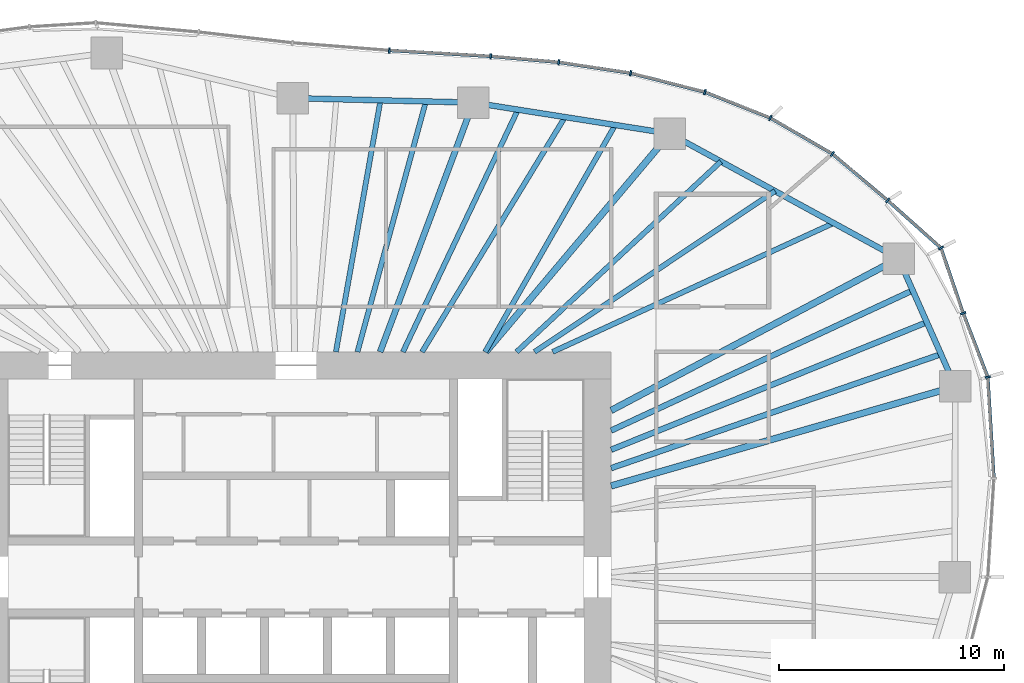
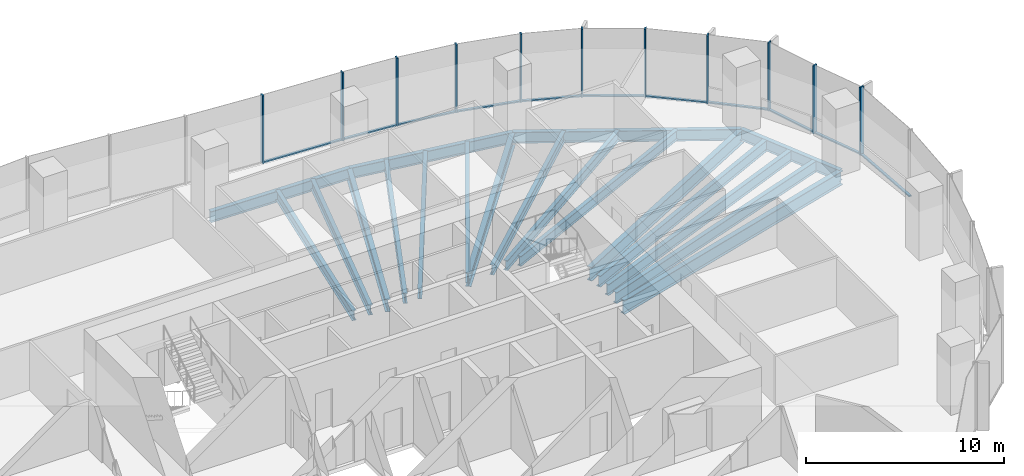
# One storey, part 6 of 18: 22 members, 19 beams, 5 elements without a shape of their own.
"""IFC4 building model written with IfcOpenShell, lengths in metres."""

from ifc_helpers import new_model, si_unit, direction, frame, origin, origin_2d, place, context, subcontext, project, spatial, rectangle, i_section, extrude, material, material_profile, profile_set, type_object, element, aggregate, save


model = new_model("IFC4")

# Units and contexts
model_context = context("Model", 3, precision=1e-05, world=origin(), true_north=direction((0.0, 1.0)))
body_context = subcontext(model_context, "Body", "Model", "MODEL_VIEW")
ifc_project = project(units=[si_unit("LENGTHUNIT", "METRE"), si_unit("AREAUNIT", "SQUARE_METRE"), si_unit("VOLUMEUNIT", "CUBIC_METRE"), si_unit("PLANEANGLEUNIT", "RADIAN"), si_unit("MASSUNIT", "GRAM", prefix="KILO")], contexts=[model_context])

# Site, building, storey
site_placement = place(None, origin())
site = spatial("IfcSite", under=ifc_project, at=site_placement, CompositionType="ELEMENT")
building_placement = place(site_placement, origin())
building = spatial("IfcBuilding", under=site, at=building_placement, Name="Ghaith Harvest Tower", CompositionType="ELEMENT")
storey_placement = place(building_placement, frame((0.0, 0.0, 151.199951171875)))
storey = spatial("IfcBuildingStorey", under=building, at=storey_placement, Name="L32", CompositionType="ELEMENT", Elevation=151.199951171875)

# Curtain wall, members
ifc_material_1 = material(Name="Black anodised aluminium and fritted glass", Category="aluminium")
curtain_wall_type = type_object("IfcCurtainWallType", Name="CW-L CURTAIN WALL", PredefinedType="NOTDEFINED", material=ifc_material_1)
curtain_wall_1_placement = place(storey_placement, origin())
curtain_wall_1 = element("IfcCurtainWall", 1, at=curtain_wall_1_placement, inside=storey, type_object=curtain_wall_type, Name="Curtain wall CW-L bay 02 L32", PredefinedType="NOTDEFINED")
ifc_material_2 = material(Name="Aluminium, black anodised", Category="aluminium")
ifc_material_profile_1 = material_profile(ifc_material_2, rectangle(XDim=0.080078125, YDim=0.239990234375, at=origin_2d()), Name="CW-L MULLION 80x240")
ifc_profile_set_1 = profile_set([ifc_material_profile_1], Name="Aluminium, black anodised")
member_type_1 = type_object("IfcMemberType", Name="CW-L MULLION 80x240", PredefinedType="MULLION", material=ifc_profile_set_1)
member_1_placement = place(storey_placement, frame((30.727294921875, 8.880859375, 0.0), z_axis=(0.0, 0.0, 1.0), x_axis=(-0.183070248196, 0.983099834313, 0.0)))
member_1 = element("IfcMember", 2, at=member_1_placement, type_object=member_type_1, Name="CW-L mullion 1 bay 02 L32", PredefinedType="MULLION", context=body_context, shape_type="SweptSolid", body=[
    extrude(rectangle(XDim=0.080078125, YDim=0.239990234375, at=origin_2d()), origin(), (0.0, 0.0, 1.0), 4.199951171875),
])
member_2_placement = place(storey_placement, frame((29.634521484375, 11.7158203125, 0.0), z_axis=(0.0, 0.0, 1.0), x_axis=(-0.340771198528, 0.940146260033, 0.0)))
member_2 = element("IfcMember", 3, at=member_2_placement, type_object=member_type_1, Name="CW-L mullion 2 bay 02 L32", PredefinedType="MULLION", context=body_context, shape_type="SweptSolid", body=[
    extrude(rectangle(XDim=0.080078125, YDim=0.239990234375, at=origin_2d()), origin(), (0.0, 0.0, 1.0), 4.199951171875),
])
member_3_placement = place(storey_placement, frame((28.64990234375, 14.61181640625, 0.0), z_axis=(0.0, 0.0, 1.0), x_axis=(-0.556324287652, 0.830965274225, 0.0)))
member_3 = element("IfcMember", 4, at=member_3_placement, type_object=member_type_1, Name="CW-L mullion 3 bay 02 L32", PredefinedType="MULLION", context=body_context, shape_type="SweptSolid", body=[
    extrude(rectangle(XDim=0.080078125, YDim=0.239990234375, at=origin_2d()), origin(), (0.0, 0.0, 1.0), 4.199951171875),
])

curtain_wall_2_placement = place(storey_placement, origin())
curtain_wall_2 = element("IfcCurtainWall", 5, at=curtain_wall_2_placement, inside=storey, type_object=curtain_wall_type, Name="Curtain wall CW-L bay 03 L32", PredefinedType="NOTDEFINED")
member_4_placement = place(storey_placement, frame((26.28076171875, 16.725341796875, 0.0), z_axis=(0.0, 0.0, 1.0), x_axis=(-0.755999423268, 0.654572281737, 0.0)))
member_4 = element("IfcMember", 6, at=member_4_placement, type_object=member_type_1, Name="CW-L mullion 1 bay 03 L32", PredefinedType="MULLION", context=body_context, shape_type="SweptSolid", body=[
    extrude(rectangle(XDim=0.080078125, YDim=0.239990234375, at=origin_2d()), origin(), (0.0, 0.0, 1.0), 4.199951171875),
])
member_5_placement = place(storey_placement, frame((23.82177734375, 18.792236328125, 0.0), z_axis=(0.0, 0.0, 1.0), x_axis=(-0.818228862146, 0.574892624018, 0.0)))
member_5 = element("IfcMember", 7, at=member_5_placement, type_object=member_type_1, Name="CW-L mullion 2 bay 03 L32", PredefinedType="MULLION", context=body_context, shape_type="SweptSolid", body=[
    extrude(rectangle(XDim=0.080078125, YDim=0.239990234375, at=origin_2d()), origin(), (0.0, 0.0, 1.0), 4.199951171875),
])
member_6_placement = place(storey_placement, frame((21.066162109375, 20.38916015625, 0.0), z_axis=(0.0, 0.0, 1.0), x_axis=(-0.899713343282, 0.436481270985, 0.0)))
member_6 = element("IfcMember", 8, at=member_6_placement, type_object=member_type_1, Name="CW-L mullion 3 bay 03 L32", PredefinedType="MULLION", context=body_context, shape_type="SweptSolid", body=[
    extrude(rectangle(XDim=0.080078125, YDim=0.239990234375, at=origin_2d()), origin(), (0.0, 0.0, 1.0), 4.199951171875),
])

curtain_wall_3_placement = place(storey_placement, origin())
curtain_wall_3 = element("IfcCurtainWall", 9, at=curtain_wall_3_placement, inside=storey, type_object=curtain_wall_type, Name="Curtain wall CW-L bay 04 L32", PredefinedType="NOTDEFINED")
member_7_placement = place(storey_placement, frame((18.162353515625, 21.537841796875, 0.0), z_axis=(0.0, 0.0, 1.0), x_axis=(-0.952152258113, 0.30562407852, 0.0)))
member_7 = element("IfcMember", 10, at=member_7_placement, type_object=member_type_1, Name="CW-L mullion 1 bay 04 L32", PredefinedType="MULLION", context=body_context, shape_type="SweptSolid", body=[
    extrude(rectangle(XDim=0.080078125, YDim=0.239990234375, at=origin_2d()), origin(), (0.0, 0.0, 1.0), 4.199951171875),
])
member_8_placement = place(storey_placement, frame((14.86474609375, 22.379638671875, 0.0), z_axis=(0.0, 0.0, 1.0), x_axis=(-0.979751952122, 0.200215165041, 0.0)))
member_8 = element("IfcMember", 11, at=member_8_placement, type_object=member_type_1, Name="CW-L mullion 2 bay 04 L32", PredefinedType="MULLION", context=body_context, shape_type="SweptSolid", body=[
    extrude(rectangle(XDim=0.080078125, YDim=0.239990234375, at=origin_2d()), origin(), (0.0, 0.0, 1.0), 4.199951171875),
])
member_9_placement = place(storey_placement, frame((11.672607421875, 22.864013671875, 0.0), z_axis=(0.0, 0.0, 1.0), x_axis=(-0.992800497873, 0.119779678673, 0.0)))
member_9 = element("IfcMember", 12, at=member_9_placement, type_object=member_type_1, Name="CW-L mullion 3 bay 04 L32", PredefinedType="MULLION", context=body_context, shape_type="SweptSolid", body=[
    extrude(rectangle(XDim=0.080078125, YDim=0.239990234375, at=origin_2d()), origin(), (0.0, 0.0, 1.0), 4.199951171875),
])

curtain_wall_4_placement = place(storey_placement, origin())
curtain_wall_4 = element("IfcCurtainWall", 13, at=curtain_wall_4_placement, inside=storey, type_object=curtain_wall_type, Name="Curtain wall CW-L bay 05 L32", PredefinedType="NOTDEFINED")
member_10_placement = place(storey_placement, frame((8.646728515625, 23.1298828125, 0.0), z_axis=(0.0, 0.0, 1.0), x_axis=(-0.997558767319, 0.069831982257, 0.0)))
member_10 = element("IfcMember", 14, at=member_10_placement, type_object=member_type_1, Name="CW-L mullion 1 bay 05 L32", PredefinedType="MULLION", context=body_context, shape_type="SweptSolid", body=[
    extrude(rectangle(XDim=0.080078125, YDim=0.239990234375, at=origin_2d()), origin(), (0.0, 0.0, 1.0), 4.199951171875),
])
member_11_placement = place(storey_placement, frame((4.146728515625, 23.390869140625, 0.0), z_axis=(0.0, 0.0, 1.0), x_axis=(-0.997689895047, 0.067932858925, 0.0)))
member_11 = element("IfcMember", 15, at=member_11_placement, type_object=member_type_1, Name="CW-L mullion 2 bay 05 L32", PredefinedType="MULLION", context=body_context, shape_type="SweptSolid", body=[
    extrude(rectangle(XDim=0.080078125, YDim=0.239990234375, at=origin_2d()), origin(), (0.0, 0.0, 1.0), 4.199951171875),
])

# Curtain wall, member
curtain_wall_5_placement = place(storey_placement, origin())
curtain_wall_5 = element("IfcCurtainWall", 16, at=curtain_wall_5_placement, inside=storey, type_object=curtain_wall_type, Name="Curtain wall CW-L bay 01 L32", PredefinedType="NOTDEFINED")
ifc_material_3 = material(Name="Aluminium, black anodised", Category="aluminium")
ifc_material_profile_2 = material_profile(ifc_material_3, rectangle(XDim=0.14990234375, YDim=0.080078125, at=origin_2d()), Name="CW-L TRANSOM 150x80")
ifc_profile_set_2 = profile_set([ifc_material_profile_2], Name="Aluminium, black anodised")
member_type_2 = type_object("IfcMemberType", Name="CW-L TRANSOM 150x80", PredefinedType="USERDEFINED", material=ifc_profile_set_2)
member_12_placement = place(storey_placement, frame((30.996337890625, 4.4296875, 0.0400390625), z_axis=(-0.060328261132, 0.99817859169, 0.0), x_axis=(-0.99817859169, -0.060328261132, 0.0)))
member_12 = element("IfcMember", 17, at=member_12_placement, type_object=member_type_2, Name="CW-L transom 2 bay 01 L32", ObjectType="TRANSOM", PredefinedType="USERDEFINED", context=body_context, shape_type="SweptSolid", body=[
    extrude(rectangle(XDim=0.14990234375, YDim=0.080078125, at=origin_2d()), origin(), (0.0, 0.0, 1.0), 4.419189453125),
])
aggregate(curtain_wall_5, [member_12])

# Member
member_13_placement = place(storey_placement, frame((30.712890625, 8.918212890625, 0.0400390625), z_axis=(-0.359637050526, 0.933092274048, 0.0), x_axis=(-0.933092274048, -0.359637050526, 0.0)))
member_13 = element("IfcMember", 18, at=member_13_placement, type_object=member_type_2, Name="CW-L transom 1 bay 02 L32", ObjectType="TRANSOM", PredefinedType="USERDEFINED", context=body_context, shape_type="SweptSolid", body=[
    extrude(rectangle(XDim=0.14990234375, YDim=0.080078125, at=origin_2d()), origin(), (0.0, 0.0, 1.0), 2.95849609375),
])

member_14_placement = place(storey_placement, frame((29.62158203125, 11.75390625, 0.0400390625), z_axis=(-0.321877752664, 0.946781237847, 0.0), x_axis=(-0.946781237847, -0.321877752664, 0.0)))
member_14 = element("IfcMember", 19, at=member_14_placement, type_object=member_type_2, Name="CW-L transom 2 bay 02 L32", ObjectType="TRANSOM", PredefinedType="USERDEFINED", context=body_context, shape_type="SweptSolid", body=[
    extrude(rectangle(XDim=0.14990234375, YDim=0.080078125, at=origin_2d()), origin(), (0.0, 0.0, 1.0), 2.978515625),
])

member_15_placement = place(storey_placement, frame((28.6201171875, 14.638427734375, 0.0400390625), z_axis=(-0.74622871112, 0.665689650438, 0.0), x_axis=(-0.665689650438, -0.74622871112, 0.0)))
member_15 = element("IfcMember", 20, at=member_15_placement, type_object=member_type_2, Name="CW-L transom 3 bay 02 L32", ObjectType="TRANSOM", PredefinedType="USERDEFINED", context=body_context, shape_type="SweptSolid", body=[
    extrude(rectangle(XDim=0.14990234375, YDim=0.080078125, at=origin_2d()), origin(), (0.0, 0.0, 1.0), 3.094970703125),
])

aggregate(curtain_wall_1, [member_1, member_13, member_2, member_14, member_3, member_15])

member_16_placement = place(storey_placement, frame((26.25, 16.7509765625, 0.0400390625), z_axis=(-0.765428400685, 0.643521066808, 0.0), x_axis=(-0.643521066808, -0.765428400685, 0.0)))
member_16 = element("IfcMember", 21, at=member_16_placement, type_object=member_type_2, Name="CW-L transom 1 bay 03 L32", ObjectType="TRANSOM", PredefinedType="USERDEFINED", context=body_context, shape_type="SweptSolid", body=[
    extrude(rectangle(XDim=0.14990234375, YDim=0.080078125, at=origin_2d()), origin(), (0.0, 0.0, 1.0), 3.132080078125),
])

member_17_placement = place(storey_placement, frame((23.787353515625, 18.812255859375, 0.0400390625), z_axis=(-0.865212673937, 0.50140505468, 0.0), x_axis=(-0.50140505468, -0.865212673937, 0.0)))
member_17 = element("IfcMember", 22, at=member_17_placement, type_object=member_type_2, Name="CW-L transom 2 bay 03 L32", ObjectType="TRANSOM", PredefinedType="USERDEFINED", context=body_context, shape_type="SweptSolid", body=[
    extrude(rectangle(XDim=0.14990234375, YDim=0.080078125, at=origin_2d()), origin(), (0.0, 0.0, 1.0), 3.10498046875),
])

member_18_placement = place(storey_placement, frame((21.029052734375, 20.40380859375, 0.0400390625), z_axis=(-0.929880954826, 0.367860584804, 0.0), x_axis=(-0.367860584804, -0.929880954826, 0.0)))
member_18 = element("IfcMember", 23, at=member_18_placement, type_object=member_type_2, Name="CW-L transom 3 bay 03 L32", ObjectType="TRANSOM", PredefinedType="USERDEFINED", context=body_context, shape_type="SweptSolid", body=[
    extrude(rectangle(XDim=0.14990234375, YDim=0.080078125, at=origin_2d()), origin(), (0.0, 0.0, 1.0), 3.04296875),
])

aggregate(curtain_wall_2, [member_4, member_16, member_5, member_17, member_6, member_18])

member_19_placement = place(storey_placement, frame((18.12353515625, 21.5478515625, 0.0400390625), z_axis=(-0.968942433805, 0.247286392614, 0.0), x_axis=(-0.247286392614, -0.968942433805, 0.0)))
member_19 = element("IfcMember", 24, at=member_19_placement, type_object=member_type_2, Name="CW-L transom 1 bay 04 L32", ObjectType="TRANSOM", PredefinedType="USERDEFINED", context=body_context, shape_type="SweptSolid", body=[
    extrude(rectangle(XDim=0.14990234375, YDim=0.080078125, at=origin_2d()), origin(), (0.0, 0.0, 1.0), 3.3232421875),
])

member_20_placement = place(storey_placement, frame((14.8251953125, 22.3857421875, 0.0400390625), z_axis=(-0.988680676153, 0.150035064572, 0.0), x_axis=(-0.150035064572, -0.988680676153, 0.0)))
member_20 = element("IfcMember", 25, at=member_20_placement, type_object=member_type_2, Name="CW-L transom 2 bay 04 L32", ObjectType="TRANSOM", PredefinedType="USERDEFINED", context=body_context, shape_type="SweptSolid", body=[
    extrude(rectangle(XDim=0.14990234375, YDim=0.080078125, at=origin_2d()), origin(), (0.0, 0.0, 1.0), 3.148681640625),
])

member_21_placement = place(storey_placement, frame((11.632568359375, 22.86767578125, 0.0400390625), z_axis=(-0.996171193061, 0.087423990507, 0.0), x_axis=(-0.087423990507, -0.996171193061, 0.0)))
member_21 = element("IfcMember", 26, at=member_21_placement, type_object=member_type_2, Name="CW-L transom 3 bay 04 L32", ObjectType="TRANSOM", PredefinedType="USERDEFINED", context=body_context, shape_type="SweptSolid", body=[
    extrude(rectangle(XDim=0.14990234375, YDim=0.080078125, at=origin_2d()), origin(), (0.0, 0.0, 1.0), 2.957275390625),
])

aggregate(curtain_wall_3, [member_7, member_19, member_8, member_20, member_9, member_21])

member_22_placement = place(storey_placement, frame((8.60693359375, 23.132080078125, 0.0400390625), z_axis=(-0.998319515187, 0.057949509028, 0.0), x_axis=(-0.057949509028, -0.998319515187, 0.0)))
member_22 = element("IfcMember", 27, at=member_22_placement, type_object=member_type_2, Name="CW-L transom 1 bay 05 L32", ObjectType="TRANSOM", PredefinedType="USERDEFINED", context=body_context, shape_type="SweptSolid", body=[
    extrude(rectangle(XDim=0.14990234375, YDim=0.080078125, at=origin_2d()), origin(), (0.0, 0.0, 1.0), 4.427734375),
])

aggregate(curtain_wall_4, [member_10, member_22, member_11])

# Beams
ifc_material_4 = material(Name="Steel ASTM A992 Grade 50", Category="steel")
ifc_material_profile_3 = material_profile(ifc_material_4, i_section(OverallWidth=0.25390625, OverallDepth=0.68408203125, WebThickness=0.012451171875, FlangeThickness=0.018798828125, at=origin_2d()), Name="W690X140")
ifc_profile_set_3 = profile_set([ifc_material_profile_3], Name="Steel ASTM A992 Grade 50")
beam_type_1 = type_object("IfcBeamType", Name="E690-140 W690X140", PredefinedType="SPANDREL", material=ifc_profile_set_3)
beam_1_placement = place(storey_placement, frame((29.285888671875, 8.464111328125, -0.511962890625), z_axis=(-0.405635615749, 0.914034872002, 0.0), x_axis=(-0.914034872002, -0.405635615749, 0.0)))
element("IfcBeam", 28, at=beam_1_placement, inside=storey, type_object=beam_type_1, Name="Edge beam E02 L32", PredefinedType="SPANDREL", context=body_context, shape_type="SweptSolid", body=[
    extrude(i_section(OverallWidth=0.25390625, OverallDepth=0.68408203125, WebThickness=0.012451171875, FlangeThickness=0.018798828125, at=origin_2d()), origin(), (0.0, 0.0, 1.0), 6.21728515625),
])
beam_2_placement = place(storey_placement, frame((26.763916015625, 14.14697265625, -0.511962890625), z_axis=(-0.877588218279, 0.479415184509, 0.0), x_axis=(-0.479415184509, -0.877588218279, 0.0)))
element("IfcBeam", 29, at=beam_2_placement, inside=storey, type_object=beam_type_1, Name="Edge beam E03 L32", PredefinedType="SPANDREL", context=body_context, shape_type="SweptSolid", body=[
    extrude(i_section(OverallWidth=0.25390625, OverallDepth=0.68408203125, WebThickness=0.012451171875, FlangeThickness=0.018798828125, at=origin_2d()), origin(), (0.0, 0.0, 1.0), 11.57275390625),
])
beam_3_placement = place(storey_placement, frame((16.60791015625, 19.695068359375, -0.511962890625), z_axis=(-0.987788485872, 0.155800857439, 0.0), x_axis=(-0.155800857439, -0.987788485872, 0.0)))
element("IfcBeam", 30, at=beam_3_placement, inside=storey, type_object=beam_type_1, Name="Edge beam E04 L32", PredefinedType="SPANDREL", context=body_context, shape_type="SweptSolid", body=[
    extrude(i_section(OverallWidth=0.25390625, OverallDepth=0.68408203125, WebThickness=0.012451171875, FlangeThickness=0.018798828125, at=origin_2d()), origin(), (0.0, 0.0, 1.0), 8.837890625),
])
beam_4_placement = place(storey_placement, frame((7.8779296875, 21.072021484375, -0.511962890625), z_axis=(-0.999692679676, 0.024790042413, 0.0), x_axis=(-0.024790042413, -0.999692679676, 0.0)))
element("IfcBeam", 31, at=beam_4_placement, inside=storey, type_object=beam_type_1, Name="Edge beam E05 L32", PredefinedType="SPANDREL", context=body_context, shape_type="SweptSolid", body=[
    extrude(i_section(OverallWidth=0.25390625, OverallDepth=0.68408203125, WebThickness=0.012451171875, FlangeThickness=0.018798828125, at=origin_2d()), origin(), (0.0, 0.0, 1.0), 8.0263671875),
])
ifc_material_5 = material(Name="Steel ASTM A992 Grade 50", Category="steel")
ifc_material_profile_4 = material_profile(ifc_material_5, i_section(OverallWidth=0.26806640625, OverallDepth=0.77001953125, WebThickness=0.015625, FlangeThickness=0.025390625, at=origin_2d()), Name="W760X196")
ifc_profile_set_4 = profile_set([ifc_material_profile_4], Name="Steel ASTM A992 Grade 50")
beam_type_2 = type_object("IfcBeamType", Name="G760-196 W760X196", PredefinedType="BEAM", material=ifc_profile_set_4)
beam_5_placement = place(storey_placement, frame((3.73828125, 10.0, -0.554931640625), z_axis=(0.350206582147, 0.936672488024, 0.0), x_axis=(-0.936672488024, 0.350206582147, 0.0)))
element("IfcBeam", 32, at=beam_5_placement, inside=storey, type_object=beam_type_2, Name="Radial girder G05 L32", PredefinedType="BEAM", context=body_context, shape_type="SweptSolid", body=[
    extrude(i_section(OverallWidth=0.26806640625, OverallDepth=0.77001953125, WebThickness=0.015625, FlangeThickness=0.025390625, at=origin_2d()), origin(), (0.0, 0.0, 1.0), 11.820556640625),
])
ifc_material_6 = material(Name="Steel ASTM A992 Grade 50", Category="steel")
ifc_material_profile_5 = material_profile(ifc_material_6, i_section(OverallWidth=0.2939453125, OverallDepth=0.85107421875, WebThickness=0.01611328125, FlangeThickness=0.02685546875, at=origin_2d()), Name="W840X226")
ifc_profile_set_5 = profile_set([ifc_material_profile_5], Name="Steel ASTM A992 Grade 50")
beam_type_3 = type_object("IfcBeamType", Name="G840-226 W840X226", PredefinedType="BEAM", material=ifc_profile_set_5)
beam_6_placement = place(storey_placement, frame((14.0, 4.04638671875, -0.595458984375), z_axis=(0.960683993303, 0.27764413376, 0.0), x_axis=(-0.27764413376, 0.960683993303, 0.0)))
element("IfcBeam", 33, at=beam_6_placement, inside=storey, type_object=beam_type_3, Name="Radial girder G02 L32", PredefinedType="BEAM", context=body_context, shape_type="SweptSolid", body=[
    extrude(i_section(OverallWidth=0.2939453125, OverallDepth=0.85107421875, WebThickness=0.01611328125, FlangeThickness=0.02685546875, at=origin_2d()), origin(), (0.0, 0.0, 1.0), 15.911376953125),
])
beam_7_placement = place(storey_placement, frame((14.0, 7.39990234375, -0.595458984375), z_axis=(0.884082663971, 0.467330550324, 0.0), x_axis=(-0.467330550324, 0.884082663971, 0.0)))
element("IfcBeam", 34, at=beam_7_placement, inside=storey, type_object=beam_type_3, Name="Radial girder G03 L32", PredefinedType="BEAM", context=body_context, shape_type="SweptSolid", body=[
    extrude(i_section(OverallWidth=0.2939453125, OverallDepth=0.85107421875, WebThickness=0.01611328125, FlangeThickness=0.02685546875, at=origin_2d()), origin(), (0.0, 0.0, 1.0), 14.4375),
])
beam_8_placement = place(storey_placement, frame((8.4326171875, 10.0, -0.595458984375), z_axis=(0.644644245772, 0.764482698557, 0.0), x_axis=(-0.764482698557, 0.644644245772, 0.0)))
element("IfcBeam", 35, at=beam_8_placement, inside=storey, type_object=beam_type_3, Name="Radial girder G04 L32", PredefinedType="BEAM", context=body_context, shape_type="SweptSolid", body=[
    extrude(i_section(OverallWidth=0.2939453125, OverallDepth=0.85107421875, WebThickness=0.01611328125, FlangeThickness=0.02685546875, at=origin_2d()), origin(), (0.0, 0.0, 1.0), 12.681884765625),
])
ifc_material_7 = material(Name="Steel ASTM A992 Grade 50", Category="steel")
ifc_material_profile_6 = material_profile(ifc_material_7, i_section(OverallWidth=0.22900390625, OverallDepth=0.612060546875, WebThickness=0.011962890625, FlangeThickness=0.01953125, at=origin_2d()), Name="W610X125")
ifc_profile_set_6 = profile_set([ifc_material_profile_6], Name="Steel ASTM A992 Grade 50")
beam_type_4 = type_object("IfcBeamType", Name="J610-125 W610X125", PredefinedType="JOIST", material=ifc_profile_set_6)
beam_9_placement = place(storey_placement, frame((11.39990234375, 10.0, -0.475830078125), z_axis=(0.909014022454, 0.416765529983, 0.0), x_axis=(-0.416765529983, 0.909014022454, 0.0)))
element("IfcBeam", 36, at=beam_9_placement, inside=storey, type_object=beam_type_4, Name="Joist J03.1 L32", PredefinedType="JOIST", context=body_context, shape_type="SweptSolid", body=[
    extrude(i_section(OverallWidth=0.22900390625, OverallDepth=0.612060546875, WebThickness=0.011962890625, FlangeThickness=0.01953125, at=origin_2d()), origin(), (0.0, 0.0, 1.0), 13.72998046875),
])
beam_10_placement = place(storey_placement, frame((10.60009765625, 10.0, -0.475830078125), z_axis=(0.831116486766, 0.556098359489, 0.0), x_axis=(-0.556098359489, 0.831116486766, 0.0)))
element("IfcBeam", 37, at=beam_10_placement, inside=storey, type_object=beam_type_4, Name="Joist J03.2 L32", PredefinedType="JOIST", context=body_context, shape_type="SweptSolid", body=[
    extrude(i_section(OverallWidth=0.22900390625, OverallDepth=0.612060546875, WebThickness=0.011962890625, FlangeThickness=0.01953125, at=origin_2d()), origin(), (0.0, 0.0, 1.0), 12.84716796875),
])
beam_11_placement = place(storey_placement, frame((9.800048828125, 10.0, -0.475830078125), z_axis=(0.731538123562, 0.681800538116, 0.0), x_axis=(-0.681800538116, 0.731538123562, 0.0)))
element("IfcBeam", 38, at=beam_11_placement, inside=storey, type_object=beam_type_4, Name="Joist J03.3 L32", PredefinedType="JOIST", context=body_context, shape_type="SweptSolid", body=[
    extrude(i_section(OverallWidth=0.22900390625, OverallDepth=0.612060546875, WebThickness=0.011962890625, FlangeThickness=0.01953125, at=origin_2d()), origin(), (0.0, 0.0, 1.0), 12.404052734375),
])
beam_12_placement = place(storey_placement, frame((8.39990234375, 10.0, -0.475830078125), z_axis=(0.497444212127, 0.867495968764, 0.0), x_axis=(-0.867495968764, 0.497444212127, 0.0)))
element("IfcBeam", 39, at=beam_12_placement, inside=storey, type_object=beam_type_4, Name="Joist J04.1 L32", PredefinedType="JOIST", context=body_context, shape_type="SweptSolid", body=[
    extrude(i_section(OverallWidth=0.22900390625, OverallDepth=0.612060546875, WebThickness=0.011962890625, FlangeThickness=0.01953125, at=origin_2d()), origin(), (0.0, 0.0, 1.0), 11.617431640625),
])
beam_13_placement = place(storey_placement, frame((5.60009765625, 10.0, -0.475830078125), z_axis=(0.519863845761, 0.854249133374, 0.0), x_axis=(-0.854249133374, 0.519863845761, 0.0)))
element("IfcBeam", 40, at=beam_13_placement, inside=storey, type_object=beam_type_4, Name="Joist J04.2 L32", PredefinedType="JOIST", context=body_context, shape_type="SweptSolid", body=[
    extrude(i_section(OverallWidth=0.22900390625, OverallDepth=0.612060546875, WebThickness=0.011962890625, FlangeThickness=0.01953125, at=origin_2d()), origin(), (0.0, 0.0, 1.0), 12.209716796875),
])
beam_14_placement = place(storey_placement, frame((4.75, 10.0, -0.475830078125), z_axis=(0.429069356877, 0.903271546651, 0.0), x_axis=(-0.903271546651, 0.429069356877, 0.0)))
element("IfcBeam", 41, at=beam_14_placement, inside=storey, type_object=beam_type_4, Name="Joist J04.3 L32", PredefinedType="JOIST", context=body_context, shape_type="SweptSolid", body=[
    extrude(i_section(OverallWidth=0.22900390625, OverallDepth=0.612060546875, WebThickness=0.011962890625, FlangeThickness=0.01953125, at=origin_2d()), origin(), (0.0, 0.0, 1.0), 11.911376953125),
])
beam_15_placement = place(storey_placement, frame((2.73095703125, 10.0, -0.475830078125), z_axis=(0.263455967932, 0.964671422279, 0.0), x_axis=(-0.964671422279, 0.263455967932, 0.0)))
element("IfcBeam", 42, at=beam_15_placement, inside=storey, type_object=beam_type_4, Name="Joist J05.1 L32", PredefinedType="JOIST", context=body_context, shape_type="SweptSolid", body=[
    extrude(i_section(OverallWidth=0.22900390625, OverallDepth=0.612060546875, WebThickness=0.011962890625, FlangeThickness=0.01953125, at=origin_2d()), origin(), (0.0, 0.0, 1.0), 11.53173828125),
])
beam_16_placement = place(storey_placement, frame((1.772705078125, 10.0, -0.475830078125), z_axis=(0.17455599258, 0.984647249249, 0.0), x_axis=(-0.984647249249, 0.17455599258, 0.0)))
element("IfcBeam", 43, at=beam_16_placement, inside=storey, type_object=beam_type_4, Name="Joist J05.2 L32", PredefinedType="JOIST", context=body_context, shape_type="SweptSolid", body=[
    extrude(i_section(OverallWidth=0.22900390625, OverallDepth=0.612060546875, WebThickness=0.011962890625, FlangeThickness=0.01953125, at=origin_2d()), origin(), (0.0, 0.0, 1.0), 11.3486328125),
])
ifc_material_8 = material(Name="Steel ASTM A992 Grade 50", Category="steel")
ifc_material_profile_7 = material_profile(ifc_material_8, i_section(OverallWidth=0.25390625, OverallDepth=0.68408203125, WebThickness=0.012451171875, FlangeThickness=0.018798828125, at=origin_2d()), Name="W690X140")
ifc_profile_set_7 = profile_set([ifc_material_profile_7], Name="Steel ASTM A992 Grade 50")
beam_type_5 = type_object("IfcBeamType", Name="J690-140 W690X140", PredefinedType="JOIST", material=ifc_profile_set_7)
beam_17_placement = place(storey_placement, frame((14.0, 4.835693359375, -0.511962890625), z_axis=(0.945204964965, 0.32647752481, 0.0), x_axis=(-0.32647752481, 0.945204964965, 0.0)))
element("IfcBeam", 44, at=beam_17_placement, inside=storey, type_object=beam_type_5, Name="Joist J02.1 L32", PredefinedType="JOIST", context=body_context, shape_type="SweptSolid", body=[
    extrude(i_section(OverallWidth=0.25390625, OverallDepth=0.68408203125, WebThickness=0.012451171875, FlangeThickness=0.018798828125, at=origin_2d()), origin(), (0.0, 0.0, 1.0), 15.499755859375),
])
beam_18_placement = place(storey_placement, frame((14.0, 5.653564453125, -0.511962890625), z_axis=(0.927247874511, 0.374448099495, 0.0), x_axis=(-0.374448099495, 0.927247874511, 0.0)))
element("IfcBeam", 45, at=beam_18_placement, inside=storey, type_object=beam_type_5, Name="Joist J02.2 L32", PredefinedType="JOIST", context=body_context, shape_type="SweptSolid", body=[
    extrude(i_section(OverallWidth=0.25390625, OverallDepth=0.68408203125, WebThickness=0.012451171875, FlangeThickness=0.018798828125, at=origin_2d()), origin(), (0.0, 0.0, 1.0), 15.12060546875),
])
beam_19_placement = place(storey_placement, frame((14.0, 6.506103515625, -0.511962890625), z_axis=(0.906865717917, 0.42141970726, 0.0), x_axis=(-0.42141970726, 0.906865717917, 0.0)))
element("IfcBeam", 46, at=beam_19_placement, inside=storey, type_object=beam_type_5, Name="Joist J02.3 L32", PredefinedType="JOIST", context=body_context, shape_type="SweptSolid", body=[
    extrude(i_section(OverallWidth=0.25390625, OverallDepth=0.68408203125, WebThickness=0.012451171875, FlangeThickness=0.018798828125, at=origin_2d()), origin(), (0.0, 0.0, 1.0), 14.768310546875),
])

save(model, "model.ifc")
